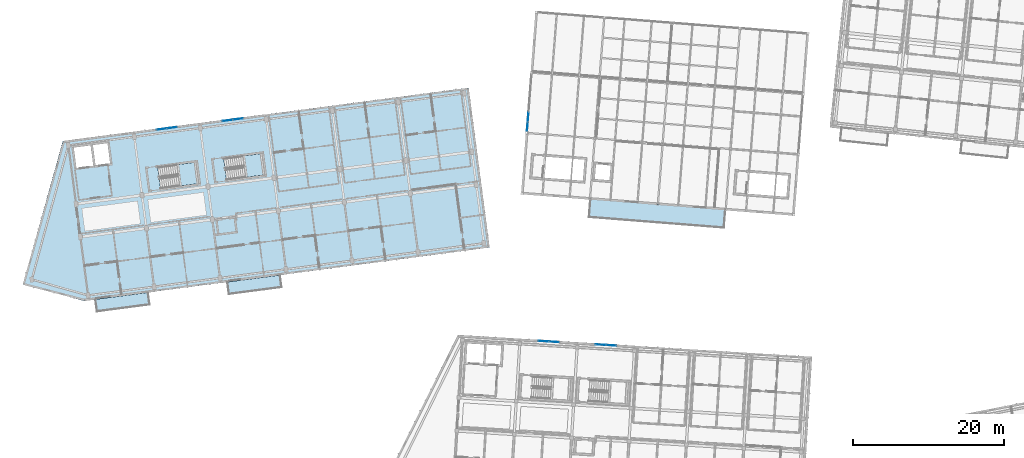
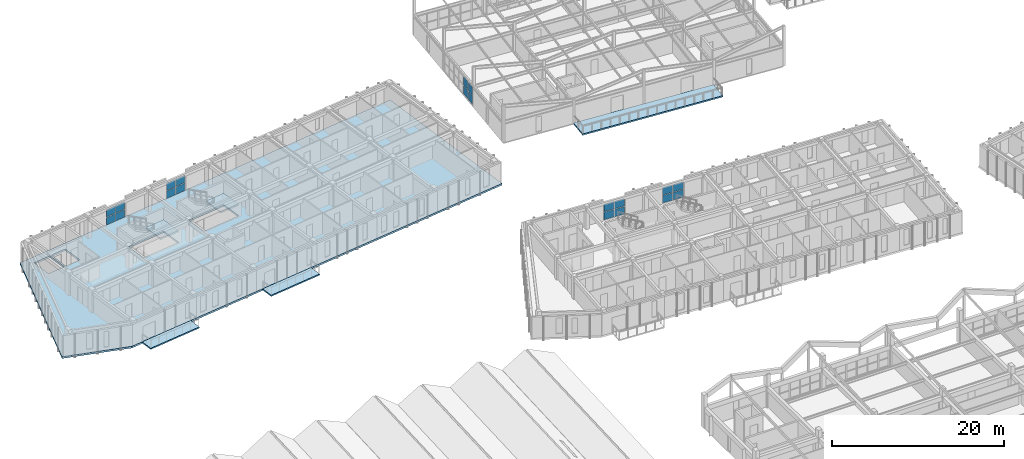
# One storey, part 69 of 127: 20 plates, 6 slabs, 7 elements without a shape of their own.
"""IFC4 building model written with IfcOpenShell, lengths in metres."""

from ifc_helpers import new_model, si_unit, direction, frame, origin, origin_2d, place, context, subcontext, project, spatial, polyline, rectangle, outline, extrude, material, layer, layer_set, type_object, element, aggregate, save


model = new_model("IFC4")

# Units and contexts
model_context = context("Model", 3, precision=1e-05, world=origin(), true_north=direction((0.0, 1.0)))
body_context = subcontext(model_context, "Body", "Model", "MODEL_VIEW")
ifc_project = project(units=[si_unit("LENGTHUNIT", "METRE"), si_unit("AREAUNIT", "SQUARE_METRE"), si_unit("VOLUMEUNIT", "CUBIC_METRE"), si_unit("PLANEANGLEUNIT", "RADIAN"), si_unit("MASSUNIT", "GRAM", prefix="KILO")], contexts=[model_context])

# Site, building, storey
site_placement = place(None, origin())
site = spatial("IfcSite", under=ifc_project, at=site_placement, CompositionType="ELEMENT")
building_placement = place(site_placement, origin())
building = spatial("IfcBuilding", under=site, at=building_placement, Name="Kestramere Prow Commons", CompositionType="ELEMENT")
storey_placement = place(building_placement, frame((0.0, 0.0, 8.39990234375)))
storey = spatial("IfcBuildingStorey", under=building, at=storey_placement, Name="L02", CompositionType="ELEMENT", Elevation=8.39990234375)

# Curtain wall, plates
ifc_material_1 = material(Name="Anodised Aluminium and Low-E Glass", Category="aluminium")
curtain_wall_type_1 = type_object("IfcCurtainWallType", Name="CW-03 Glazed Curtain Wall 2830x2320", PredefinedType="USERDEFINED", material=ifc_material_1)
curtain_wall_1_placement = place(storey_placement, origin())
curtain_wall_1 = element("IfcCurtainWall", 1, at=curtain_wall_1_placement, inside=storey, type_object=curtain_wall_type_1, Name="Block A L02 Stairwell Vertical Glazing 2", ObjectType="GLAZED CURTAIN WALL", PredefinedType="USERDEFINED")
ifc_material_2 = material(Name="Low-E Laminated Double Glazing", Category="glass")
ifc_layer_1 = layer(ifc_material_2, 0.028076171875)
ifc_layer_set_1 = layer_set([ifc_layer_1], Name="Low-E Laminated Double Glazing")
plate_type = type_object("IfcPlateType", Name="CW-PNL-28", PredefinedType="CURTAIN_PANEL", material=ifc_layer_set_1)
plate_1_placement = place(storey_placement, frame((20.922607421875, 93.982177734375, 0.065185546875), z_axis=(0.0, 0.0, 1.0), x_axis=(0.991444867297, 0.13052614723, 0.0)))
plate_1 = element("IfcPlate", 2, at=plate_1_placement, type_object=plate_type, Name="CW-03 panel 1.1", PredefinedType="CURTAIN_PANEL", context=body_context, shape_type="SweptSolid", body=[
    extrude(rectangle(XDim=1.3173828125, YDim=0.028076171875, at=origin_2d()), origin(), (0.0, 0.0, 1.0), 1.0625),
])
plate_2_placement = place(storey_placement, frame((20.922607421875, 93.982177734375, 1.192626953125), z_axis=(0.0, 0.0, 1.0), x_axis=(0.991444867297, 0.13052614723, 0.0)))
plate_2 = element("IfcPlate", 3, at=plate_2_placement, type_object=plate_type, Name="CW-03 panel 1.2", PredefinedType="CURTAIN_PANEL", context=body_context, shape_type="SweptSolid", body=[
    extrude(rectangle(XDim=1.3173828125, YDim=0.028076171875, at=origin_2d()), origin(), (0.0, 0.0, 1.0), 1.0625),
])
plate_3_placement = place(storey_placement, frame((22.29345703125, 94.16259765625, 0.065185546875), z_axis=(0.0, 0.0, 1.0), x_axis=(0.991444867297, 0.13052614723, 0.0)))
plate_3 = element("IfcPlate", 4, at=plate_3_placement, type_object=plate_type, Name="CW-03 panel 2.1", PredefinedType="CURTAIN_PANEL", context=body_context, shape_type="SweptSolid", body=[
    extrude(rectangle(XDim=1.3173828125, YDim=0.028076171875, at=origin_2d()), origin(), (0.0, 0.0, 1.0), 1.0625),
])
plate_4_placement = place(storey_placement, frame((22.29345703125, 94.16259765625, 1.192626953125), z_axis=(0.0, 0.0, 1.0), x_axis=(0.991444867297, 0.13052614723, 0.0)))
plate_4 = element("IfcPlate", 5, at=plate_4_placement, type_object=plate_type, Name="CW-03 panel 2.2", PredefinedType="CURTAIN_PANEL", context=body_context, shape_type="SweptSolid", body=[
    extrude(rectangle(XDim=1.3173828125, YDim=0.028076171875, at=origin_2d()), origin(), (0.0, 0.0, 1.0), 1.0625),
])
aggregate(curtain_wall_1, [plate_1, plate_2, plate_3, plate_4])

curtain_wall_2_placement = place(storey_placement, origin())
curtain_wall_2 = element("IfcCurtainWall", 6, at=curtain_wall_2_placement, inside=storey, type_object=curtain_wall_type_1, Name="Block A L02 Stairwell Vertical Glazing 3", ObjectType="GLAZED CURTAIN WALL", PredefinedType="USERDEFINED")
plate_5_placement = place(storey_placement, frame((29.6474609375, 95.130859375, 0.065185546875), z_axis=(0.0, 0.0, 1.0), x_axis=(0.991444821571, 0.130526494555, 0.0)))
plate_5 = element("IfcPlate", 7, at=plate_5_placement, type_object=plate_type, Name="CW-03 panel 1.1", PredefinedType="CURTAIN_PANEL", context=body_context, shape_type="SweptSolid", body=[
    extrude(rectangle(XDim=1.3173828125, YDim=0.028076171875, at=origin_2d()), origin(), (0.0, 0.0, 1.0), 1.0625),
])
plate_6_placement = place(storey_placement, frame((29.6474609375, 95.130859375, 1.192626953125), z_axis=(0.0, 0.0, 1.0), x_axis=(0.991444821571, 0.130526494555, 0.0)))
plate_6 = element("IfcPlate", 8, at=plate_6_placement, type_object=plate_type, Name="CW-03 panel 1.2", PredefinedType="CURTAIN_PANEL", context=body_context, shape_type="SweptSolid", body=[
    extrude(rectangle(XDim=1.3173828125, YDim=0.028076171875, at=origin_2d()), origin(), (0.0, 0.0, 1.0), 1.0625),
])
plate_7_placement = place(storey_placement, frame((31.01806640625, 95.311279296875, 0.065185546875), z_axis=(0.0, 0.0, 1.0), x_axis=(0.991444821571, 0.130526494555, 0.0)))
plate_7 = element("IfcPlate", 9, at=plate_7_placement, type_object=plate_type, Name="CW-03 panel 2.1", PredefinedType="CURTAIN_PANEL", context=body_context, shape_type="SweptSolid", body=[
    extrude(rectangle(XDim=1.3173828125, YDim=0.028076171875, at=origin_2d()), origin(), (0.0, 0.0, 1.0), 1.0625),
])
plate_8_placement = place(storey_placement, frame((31.01806640625, 95.311279296875, 1.192626953125), z_axis=(0.0, 0.0, 1.0), x_axis=(0.991444821571, 0.130526494555, 0.0)))
plate_8 = element("IfcPlate", 10, at=plate_8_placement, type_object=plate_type, Name="CW-03 panel 2.2", PredefinedType="CURTAIN_PANEL", context=body_context, shape_type="SweptSolid", body=[
    extrude(rectangle(XDim=1.3173828125, YDim=0.028076171875, at=origin_2d()), origin(), (0.0, 0.0, 1.0), 1.0625),
])
aggregate(curtain_wall_2, [plate_5, plate_6, plate_7, plate_8])

curtain_wall_3_placement = place(storey_placement, origin())
curtain_wall_3 = element("IfcCurtainWall", 11, at=curtain_wall_3_placement, inside=storey, type_object=curtain_wall_type_1, Name="Block C L02 Stairwell Vertical Glazing 2", ObjectType="GLAZED CURTAIN WALL", PredefinedType="USERDEFINED")
plate_9_placement = place(storey_placement, frame((71.41748046875, 65.93359375, 0.065185546875), z_axis=(0.0, 0.0, 1.0), x_axis=(0.99813480569, -0.061048420708, 0.0)))
plate_9 = element("IfcPlate", 12, at=plate_9_placement, type_object=plate_type, Name="CW-03 panel 1.1", PredefinedType="CURTAIN_PANEL", context=body_context, shape_type="SweptSolid", body=[
    extrude(rectangle(XDim=1.3173828125, YDim=0.028076171875, at=origin_2d()), origin(), (0.0, 0.0, 1.0), 1.0625),
])
plate_10_placement = place(storey_placement, frame((71.41748046875, 65.93359375, 1.192626953125), z_axis=(0.0, 0.0, 1.0), x_axis=(0.99813480569, -0.061048420708, 0.0)))
plate_10 = element("IfcPlate", 13, at=plate_10_placement, type_object=plate_type, Name="CW-03 panel 1.2", PredefinedType="CURTAIN_PANEL", context=body_context, shape_type="SweptSolid", body=[
    extrude(rectangle(XDim=1.3173828125, YDim=0.028076171875, at=origin_2d()), origin(), (0.0, 0.0, 1.0), 1.0625),
])
plate_11_placement = place(storey_placement, frame((72.79736328125, 65.849365234375, 0.065185546875), z_axis=(0.0, 0.0, 1.0), x_axis=(0.99813480569, -0.061048420708, 0.0)))
plate_11 = element("IfcPlate", 14, at=plate_11_placement, type_object=plate_type, Name="CW-03 panel 2.1", PredefinedType="CURTAIN_PANEL", context=body_context, shape_type="SweptSolid", body=[
    extrude(rectangle(XDim=1.3173828125, YDim=0.028076171875, at=origin_2d()), origin(), (0.0, 0.0, 1.0), 1.0625),
])
plate_12_placement = place(storey_placement, frame((72.79736328125, 65.849365234375, 1.192626953125), z_axis=(0.0, 0.0, 1.0), x_axis=(0.99813480569, -0.061048420708, 0.0)))
plate_12 = element("IfcPlate", 15, at=plate_12_placement, type_object=plate_type, Name="CW-03 panel 2.2", PredefinedType="CURTAIN_PANEL", context=body_context, shape_type="SweptSolid", body=[
    extrude(rectangle(XDim=1.3173828125, YDim=0.028076171875, at=origin_2d()), origin(), (0.0, 0.0, 1.0), 1.0625),
])
aggregate(curtain_wall_3, [plate_9, plate_10, plate_11, plate_12])

curtain_wall_4_placement = place(storey_placement, origin())
curtain_wall_4 = element("IfcCurtainWall", 16, at=curtain_wall_4_placement, inside=storey, type_object=curtain_wall_type_1, Name="Block C L02 Stairwell Vertical Glazing 3", ObjectType="GLAZED CURTAIN WALL", PredefinedType="USERDEFINED")
plate_13_placement = place(storey_placement, frame((79.003173828125, 65.4697265625, 0.065185546875), z_axis=(0.0, 0.0, 1.0), x_axis=(0.998134807007, -0.061048399176, 0.0)))
plate_13 = element("IfcPlate", 17, at=plate_13_placement, type_object=plate_type, Name="CW-03 panel 1.1", PredefinedType="CURTAIN_PANEL", context=body_context, shape_type="SweptSolid", body=[
    extrude(rectangle(XDim=1.3173828125, YDim=0.028076171875, at=origin_2d()), origin(), (0.0, 0.0, 1.0), 1.0625),
])
plate_14_placement = place(storey_placement, frame((79.003173828125, 65.4697265625, 1.192626953125), z_axis=(0.0, 0.0, 1.0), x_axis=(0.998134807007, -0.061048399176, 0.0)))
plate_14 = element("IfcPlate", 18, at=plate_14_placement, type_object=plate_type, Name="CW-03 panel 1.2", PredefinedType="CURTAIN_PANEL", context=body_context, shape_type="SweptSolid", body=[
    extrude(rectangle(XDim=1.3173828125, YDim=0.028076171875, at=origin_2d()), origin(), (0.0, 0.0, 1.0), 1.0625),
])
plate_15_placement = place(storey_placement, frame((80.383056640625, 65.38525390625, 0.065185546875), z_axis=(0.0, 0.0, 1.0), x_axis=(0.998134807007, -0.061048399176, 0.0)))
plate_15 = element("IfcPlate", 19, at=plate_15_placement, type_object=plate_type, Name="CW-03 panel 2.1", PredefinedType="CURTAIN_PANEL", context=body_context, shape_type="SweptSolid", body=[
    extrude(rectangle(XDim=1.3173828125, YDim=0.028076171875, at=origin_2d()), origin(), (0.0, 0.0, 1.0), 1.0625),
])
plate_16_placement = place(storey_placement, frame((80.383056640625, 65.38525390625, 1.192626953125), z_axis=(0.0, 0.0, 1.0), x_axis=(0.998134807007, -0.061048399176, 0.0)))
plate_16 = element("IfcPlate", 20, at=plate_16_placement, type_object=plate_type, Name="CW-03 panel 2.2", PredefinedType="CURTAIN_PANEL", context=body_context, shape_type="SweptSolid", body=[
    extrude(rectangle(XDim=1.3173828125, YDim=0.028076171875, at=origin_2d()), origin(), (0.0, 0.0, 1.0), 1.0625),
])
aggregate(curtain_wall_4, [plate_13, plate_14, plate_15, plate_16])

curtain_wall_type_2 = type_object("IfcCurtainWallType", Name="CW-18 Glazed Curtain Wall 7600x2580", PredefinedType="USERDEFINED", material=ifc_material_1)
curtain_wall_5_placement = place(storey_placement, origin())
curtain_wall_5 = element("IfcCurtainWall", 21, at=curtain_wall_5_placement, inside=storey, type_object=curtain_wall_type_2, Name="Nursery L02 W End Glazing", ObjectType="GLAZED CURTAIN WALL", PredefinedType="USERDEFINED")
plate_17_placement = place(storey_placement, frame((69.29443359375, 94.322265625, 0.065185546875), z_axis=(0.0, 0.0, 1.0), x_axis=(0.078459076345, 0.996917335259, 0.0)))
plate_17 = element("IfcPlate", 22, at=plate_17_placement, type_object=plate_type, Name="CW-18 panel 1.1", PredefinedType="CURTAIN_PANEL", context=body_context, shape_type="SweptSolid", body=[
    extrude(rectangle(XDim=1.169189453125, YDim=0.028076171875, at=origin_2d()), origin(), (0.0, 0.0, 1.0), 1.1923828125),
])
plate_18_placement = place(storey_placement, frame((69.29443359375, 94.322265625, 1.32275390625), z_axis=(0.0, 0.0, 1.0), x_axis=(0.078459076345, 0.996917335259, 0.0)))
plate_18 = element("IfcPlate", 23, at=plate_18_placement, type_object=plate_type, Name="CW-18 panel 1.2", PredefinedType="CURTAIN_PANEL", context=body_context, shape_type="SweptSolid", body=[
    extrude(rectangle(XDim=1.169189453125, YDim=0.028076171875, at=origin_2d()), origin(), (0.0, 0.0, 1.0), 1.1923828125),
])
plate_19_placement = place(storey_placement, frame((69.392333984375, 95.56884765625, 0.065185546875), z_axis=(0.0, 0.0, 1.0), x_axis=(0.078459076345, 0.996917335259, 0.0)))
plate_19 = element("IfcPlate", 24, at=plate_19_placement, type_object=plate_type, Name="CW-18 panel 2.1", PredefinedType="CURTAIN_PANEL", context=body_context, shape_type="SweptSolid", body=[
    extrude(rectangle(XDim=1.20166015625, YDim=0.028076171875, at=origin_2d()), origin(), (0.0, 0.0, 1.0), 1.1923828125),
])
plate_20_placement = place(storey_placement, frame((69.392333984375, 95.56884765625, 1.32275390625), z_axis=(0.0, 0.0, 1.0), x_axis=(0.078459076345, 0.996917335259, 0.0)))
plate_20 = element("IfcPlate", 25, at=plate_20_placement, type_object=plate_type, Name="CW-18 panel 2.2", PredefinedType="CURTAIN_PANEL", context=body_context, shape_type="SweptSolid", body=[
    extrude(rectangle(XDim=1.20166015625, YDim=0.028076171875, at=origin_2d()), origin(), (0.0, 0.0, 1.0), 1.1923828125),
])
aggregate(curtain_wall_5, [plate_17, plate_18, plate_19, plate_20])

# Slabs
ifc_material_3 = material(Name="Precast concrete C40/50", Category="concrete")
ifc_layer_2 = layer(ifc_material_3, 0.179931640625)
ifc_layer_set_2 = layer_set([ifc_layer_2], Name="Precast concrete C40/50")
slab_type_1 = type_object("IfcSlabType", Name="SL-BALC-180", PredefinedType="FLOOR", material=ifc_layer_set_2)
slab_1_placement = place(storey_placement, frame((0.0, 0.0, -0.179931640625)))
element("IfcSlab", 26, at=slab_1_placement, inside=storey, type_object=slab_type_1, Name="Block A L02 Apartment Balcony Slab 1", PredefinedType="FLOOR", context=body_context, shape_type="SweptSolid", body=[
    extrude(outline(polyline([(12.343017578125, 69.83056640625), (19.382080078125, 70.75732421875), (19.166748046875, 72.393310546875), (12.127685546875, 71.466552734375), (12.343017578125, 69.83056640625)])), origin(), (0.0, 0.0, 1.0), 0.179931640625),
])
slab_2_placement = place(storey_placement, frame((0.0, 0.0, -0.179931640625)))
element("IfcSlab", 27, at=slab_2_placement, inside=storey, type_object=slab_type_1, Name="Block A L02 Apartment Balcony Slab 3", PredefinedType="FLOOR", context=body_context, shape_type="SweptSolid", body=[
    extrude(outline(polyline([(29.79248046875, 72.1279296875), (36.83154296875, 73.0546875), (36.6162109375, 74.6904296875), (29.576904296875, 73.763671875), (29.79248046875, 72.1279296875)])), origin(), (0.0, 0.0, 1.0), 0.179931640625),
])
ifc_layer_3 = layer(ifc_material_3, 0.25)
ifc_layer_set_3 = layer_set([ifc_layer_3], Name="Precast concrete C40/50")
slab_type_2 = type_object("IfcSlabType", Name="SL-HC-250", PredefinedType="FLOOR", material=ifc_layer_set_3)
slab_3_placement = place(storey_placement, frame((0.0, 0.0, -0.25)))
element("IfcSlab", 28, at=slab_3_placement, inside=storey, type_object=slab_type_2, Name="Block A L02 Hollowcore Floor Slab", PredefinedType="FLOOR", context=body_context, shape_type="SweptSolid", body=[
    extrude(outline(polyline([(2.58203125, 73.48779296875), (10.640380859375, 71.270751953125), (64.277587890625, 78.332275390625), (61.497314453125, 99.449951171875), (7.860107421875, 92.388427734375), (2.58203125, 73.48779296875)]), holes=[polyline([(9.638427734375, 88.84033203125), (11.9189453125, 89.140380859375), (11.559814453125, 91.866943359375), (9.279541015625, 91.566650390625), (9.638427734375, 88.84033203125)]), polyline([(12.166748046875, 89.173095703125), (14.149658203125, 89.43408203125), (13.790771484375, 92.16064453125), (11.807861328125, 91.899658203125), (12.166748046875, 89.173095703125)]), polyline([(20.78857421875, 86.122314453125), (25.844970703125, 86.7880859375), (25.47314453125, 89.61376953125), (20.416748046875, 88.947998046875), (20.78857421875, 86.122314453125)]), polyline([(29.513427734375, 87.27099609375), (34.56982421875, 87.936767578125), (34.19775390625, 90.76220703125), (29.141357421875, 90.0966796875), (29.513427734375, 87.27099609375)])]), origin(), (0.0, 0.0, 1.0), 0.25),
])

# Stair, slab
ifc_material_4 = material(Name="Concrete C40/50", Category="concrete")
stair_type = type_object("IfcStairType", Name="ST-DOG-1350", PredefinedType="HALF_TURN_STAIR", material=ifc_material_4)
stair_1_placement = place(storey_placement, origin())
stair_1 = element("IfcStair", 29, at=stair_1_placement, inside=storey, type_object=stair_type, Name="L02 Block A Exit Stair 1", PredefinedType="HALF_TURN_STAIR")
ifc_layer_4 = layer(ifc_material_4, 0.199951171875)
ifc_layer_set_4 = layer_set([ifc_layer_4], Name="Concrete C40/50")
slab_type_3 = type_object("IfcSlabType", Name="SL-ST-LAND-200", PredefinedType="LANDING", material=ifc_layer_set_4)
slab_4_placement = place(storey_placement, frame((0.0, 0.0, 1.425048828125)))
slab_4 = element("IfcSlab", 30, at=slab_4_placement, type_object=slab_type_3, Name="ST-A1 landing 1", PredefinedType="LANDING", context=body_context, shape_type="SweptSolid", body=[
    extrude(outline(polyline([(23.287109375, 86.451416015625), (25.844970703125, 86.7880859375), (25.47314453125, 89.61376953125), (22.9150390625, 89.27685546875), (23.287109375, 86.451416015625)])), origin(), (0.0, 0.0, 1.0), 0.199951171875),
])
aggregate(stair_1, [slab_4])

stair_2_placement = place(storey_placement, origin())
stair_2 = element("IfcStair", 31, at=stair_2_placement, inside=storey, type_object=stair_type, Name="L02 Block A Exit Stair 2", PredefinedType="HALF_TURN_STAIR")
slab_5_placement = place(storey_placement, frame((0.0, 0.0, 1.425048828125)))
slab_5 = element("IfcSlab", 32, at=slab_5_placement, type_object=slab_type_3, Name="ST-A2 landing 1", PredefinedType="LANDING", context=body_context, shape_type="SweptSolid", body=[
    extrude(outline(polyline([(32.011962890625, 87.599853515625), (34.56982421875, 87.936767578125), (34.19775390625, 90.76220703125), (31.639892578125, 90.425537109375), (32.011962890625, 87.599853515625)])), origin(), (0.0, 0.0, 1.0), 0.199951171875),
])
aggregate(stair_2, [slab_5])

# Slab
ifc_layer_5 = layer(ifc_material_3, 0.199951171875)
ifc_layer_set_5 = layer_set([ifc_layer_5], Name="Precast concrete C40/50")
slab_type_4 = type_object("IfcSlabType", Name="SL-TERR-200", PredefinedType="FLOOR", material=ifc_layer_set_5)
slab_6_placement = place(storey_placement, frame((0.0, 0.0, -0.199951171875)))
element("IfcSlab", 33, at=slab_6_placement, inside=storey, type_object=slab_type_4, Name="Nursery L02 Outdoor Play Terrace Slab", PredefinedType="FLOOR", context=body_context, shape_type="SweptSolid", body=[
    extrude(outline(polyline([(77.376220703125, 82.301513671875), (95.320556640625, 80.889404296875), (95.516845703125, 83.381591796875), (77.572265625, 84.7939453125), (77.376220703125, 82.301513671875)])), origin(), (0.0, 0.0, 1.0), 0.199951171875),
])

save(model, "model.ifc")
